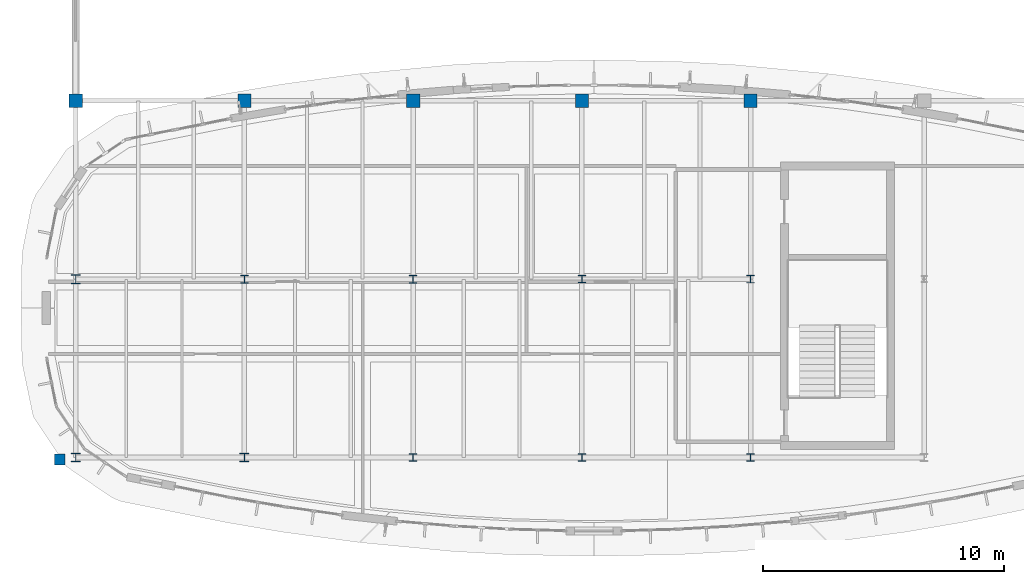
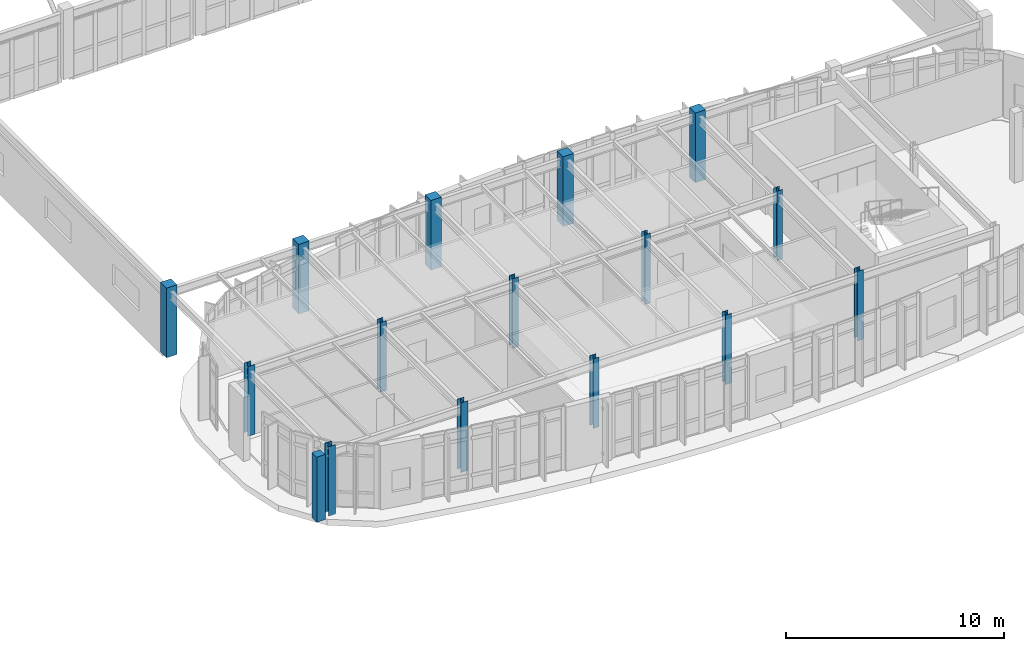
# One storey, part 6 of 111: 16 columns.
"""IFC4 building model written with IfcOpenShell, lengths in metres."""

import ifcopenshell
import ifcopenshell.guid

model = None  # the IFC model being written
_history = None  # IfcOwnerHistory: only IFC2X3 demands one
_inside = {}  # id of a spatial element -> (the spatial element, [elements in it])
_under = {}  # id of a project, library or spatial element -> (it, [spatial elements below it])
_declared = {}  # id of a project -> (the project, [libraries it declares])
_typed = {}  # id of a type object -> (the type object, [elements of that type])
_made_of = {}  # id of a material, layer set ... -> (it, [elements and type objects made of it])


def new_model(schema):
    """Start an empty IFC model of exactly this schema.

    Asked for "IFC4X3", IfcOpenShell would pick the latest addendum, in which some entities
    have other attributes; the version numbers below select the first issue.
    IFC2X3 requires an IfcOwnerHistory on every rooted entity: one is made here for all.
    """
    global model, _history
    if schema == "IFC4X3":
        model = ifcopenshell.file(schema_version=(4, 3, 0, 0))
    else:
        model = ifcopenshell.file(schema=schema)
    _inside.clear()
    _under.clear()
    _declared.clear()
    _typed.clear()
    _made_of.clear()
    _history = None
    if model.schema == "IFC2X3":
        org = make("IfcOrganization", Name="unknown")
        user = make(
            "IfcPersonAndOrganization",
            ThePerson=make("IfcPerson", FamilyName="unknown"),
            TheOrganization=org,
        )
        app = make(
            "IfcApplication",
            ApplicationDeveloper=org,
            Version="unknown",
            ApplicationFullName="unknown",
            ApplicationIdentifier="unknown",
        )
        _history = make(
            "IfcOwnerHistory",
            OwningUser=user,
            OwningApplication=app,
            ChangeAction="ADDED",
            CreationDate=0,
        )
    return model


def make(cls, **values):
    """One entity of the class cls with the attributes given. An attribute that is None is left unset."""
    return model.create_entity(
        cls, **{name: value for name, value in values.items() if value is not None}
    )


def rooted(cls, **values):
    """An entity with a GlobalId (a new one), such as an element, a storey or a relation."""
    return make(cls, GlobalId=ifcopenshell.guid.new(), OwnerHistory=_history, **values)


def si_unit(unit_type, name, prefix=None):
    """IfcSIUnit, for example si_unit("LENGTHUNIT", "METRE", prefix="MILLI")."""
    return make("IfcSIUnit", UnitType=unit_type, Prefix=prefix, Name=name)


def assignment(units):
    """IfcUnitAssignment: the units of a project."""
    return None if units is None else make("IfcUnitAssignment", Units=units)


def point(xyz):
    """IfcCartesianPoint."""
    return None if xyz is None else make("IfcCartesianPoint", Coordinates=xyz)


def direction(xyz):
    """IfcDirection."""
    return None if xyz is None else make("IfcDirection", DirectionRatios=xyz)


def frame(location, z_axis=None, x_axis=None):
    """IfcAxis2Placement3D, a coordinate frame: its origin and axes. An axis left out is left unset."""
    return make(
        "IfcAxis2Placement3D",
        Location=point(location),
        Axis=direction(z_axis),
        RefDirection=direction(x_axis),
    )


def frame_2d(location, x_axis=None):
    """IfcAxis2Placement2D, a coordinate frame in the plane: its origin and x axis."""
    return make(
        "IfcAxis2Placement2D", Location=point(location), RefDirection=direction(x_axis)
    )


def origin():
    """The frame at (0, 0, 0) with its axes left unset."""
    return frame((0.0, 0.0, 0.0))


def origin_2d():
    """The frame at (0, 0) in the plane with its x axis left unset."""
    return frame_2d((0.0, 0.0))


def place(relative_to, where):
    """IfcLocalPlacement: puts the frame where relative to a parent placement (None: the world)."""
    return make(
        "IfcLocalPlacement", PlacementRelTo=relative_to, RelativePlacement=where
    )


def context(
    kind, dimensions, precision=None, world=None, true_north=None, identifier=None
):
    """IfcGeometricRepresentationContext, for example the 3D "Model" context."""
    return make(
        "IfcGeometricRepresentationContext",
        ContextIdentifier=identifier,
        ContextType=kind,
        CoordinateSpaceDimension=dimensions,
        Precision=precision,
        WorldCoordinateSystem=world,
        TrueNorth=true_north,
    )


def subcontext(parent, identifier, kind, view, scale=None):
    """IfcGeometricRepresentationSubContext, for example "Body" below "Model"."""
    return make(
        "IfcGeometricRepresentationSubContext",
        ContextIdentifier=identifier,
        ContextType=kind,
        ParentContext=parent,
        TargetScale=scale,
        TargetView=view,
    )


def project(units=None, contexts=None):
    """IfcProject with its units and contexts."""
    return rooted(
        "IfcProject",
        Name="project",
        RepresentationContexts=contexts,
        UnitsInContext=assignment(units),
    )


def spatial(cls, under=None, at=None, **own):
    """A site, building, storey or space (cls), placed at a placement, below another one or the project."""
    s = rooted(cls, ObjectPlacement=at, **own)
    if under is not None:
        _under.setdefault(under.id(), (under, []))[1].append(s)
    return s


def profile(cls, at=None, kind="AREA", **sizes):
    """A parametric profile (cls). Its sizes go by their IFC names, for example OverallWidth=200.0."""
    return make(cls, ProfileType=kind, Position=at, **sizes)


def rectangle(**sizes):
    """IfcRectangleProfileDef."""
    return profile("IfcRectangleProfileDef", **sizes)


def i_section(**sizes):
    """IfcIShapeProfileDef."""
    return profile("IfcIShapeProfileDef", **sizes)


def extrude(swept, where, along, depth):
    """IfcExtrudedAreaSolid: the profile swept, set in the frame where, extruded along a direction by depth."""
    return make(
        "IfcExtrudedAreaSolid",
        SweptArea=swept,
        Position=where,
        ExtrudedDirection=direction(along),
        Depth=depth,
    )


def shape(context_of_items, identifier, shape_type, items):
    """IfcShapeRepresentation: the items that make up one representation, for example the "Body"."""
    return make(
        "IfcShapeRepresentation",
        ContextOfItems=context_of_items,
        RepresentationIdentifier=identifier,
        RepresentationType=shape_type,
        Items=items,
    )


def material(Name=None, Category=None):
    """IfcMaterial."""
    return make("IfcMaterial", Name=Name, Category=Category)


def material_profile(
    of_material, cross_section, Name=None, Category=None, Priority=None
):
    """IfcMaterialProfile: a cross section and its material."""
    return make(
        "IfcMaterialProfile",
        Name=Name,
        Material=of_material,
        Profile=cross_section,
        Priority=Priority,
        Category=Category,
    )


def profile_set(profiles, Name=None, composite=None):
    """IfcMaterialProfileSet."""
    return make(
        "IfcMaterialProfileSet",
        Name=Name,
        MaterialProfiles=profiles,
        CompositeProfile=composite,
    )


def made_of(thing, what):
    """Note that an element or type object is made of a material, layer set ...; save() writes the relation."""
    if what is not None:
        _made_of.setdefault(what.id(), (what, []))[1].append(thing)
    return thing


def type_object(cls, material=None, **own):
    """A type object (cls), such as IfcWallType, which elements share."""
    return made_of(rooted(cls, **own), material)


def element(
    cls,
    number,
    at=None,
    inside=None,
    cuts=None,
    type_object=None,
    material=None,
    context=None,
    identifier="Body",
    shape_type=None,
    held_by="IfcProductDefinitionShape",
    body=None,
    shapes=None,
    **own,
):
    """One element of the class cls, such as IfcWall. Its Tag is "e" and its number.

    at: its placement. inside: the storey or other place that contains it. cuts: it is an
    opening in that element (IfcRelVoidsElement). A single representation is given by context,
    identifier, shape_type and body (its items); several are given by shapes. held_by: the class
    of the entity that holds the representations. save() writes the other relations.
    """
    e = rooted(cls, Tag="e%d" % number, ObjectPlacement=at, **own)
    if body is not None:
        shapes = [shape(context, identifier, shape_type, body)]
    if shapes is not None:
        e.Representation = make(held_by, Representations=shapes)
    if inside is not None:
        _inside.setdefault(inside.id(), (inside, []))[1].append(e)
    if cuts is not None:
        rooted(
            "IfcRelVoidsElement", RelatingBuildingElement=cuts, RelatedOpeningElement=e
        )
    if type_object is not None:
        _typed.setdefault(type_object.id(), (type_object, []))[1].append(e)
    return made_of(e, material)


def aggregate(whole, parts):
    """IfcRelAggregates: a whole, such as a stair, and the parts it consists of."""
    return rooted("IfcRelAggregates", RelatingObject=whole, RelatedObjects=parts)


def save(model, path):
    """Write the relations noted so far, then the file.

    IfcRelAggregates (storeys below a building ...), IfcRelContainedInSpatialStructure (elements
    in a storey), IfcRelDefinesByType, IfcRelAssociatesMaterial and IfcRelDeclares: one each for
    every whole, place, type object, material and project.
    """
    for whole, parts in _under.values():
        aggregate(whole, parts)
    for where, things in _inside.values():
        rooted(
            "IfcRelContainedInSpatialStructure",
            RelatedElements=things,
            RelatingStructure=where,
        )
    for kind, things in _typed.values():
        rooted("IfcRelDefinesByType", RelatedObjects=things, RelatingType=kind)
    for what, things in _made_of.values():
        rooted("IfcRelAssociatesMaterial", RelatedObjects=things, RelatingMaterial=what)
    for by, libraries in _declared.values():
        rooted("IfcRelDeclares", RelatingContext=by, RelatedDefinitions=libraries)
    model.write(path)


model = new_model("IFC4")

# Units and contexts
model_context = context("Model", 3, precision=1e-05, world=origin(), true_north=direction((0.0, 1.0)))
body_context = subcontext(model_context, "Body", "Model", "MODEL_VIEW")
ifc_project = project(units=[si_unit("LENGTHUNIT", "METRE"), si_unit("AREAUNIT", "SQUARE_METRE"), si_unit("VOLUMEUNIT", "CUBIC_METRE"), si_unit("PLANEANGLEUNIT", "RADIAN"), si_unit("MASSUNIT", "GRAM", prefix="KILO")], contexts=[model_context])

# Site, building, storey
site_placement = place(None, origin())
site = spatial("IfcSite", under=ifc_project, at=site_placement, CompositionType="ELEMENT")
building_placement = place(site_placement, origin())
building = spatial("IfcBuilding", under=site, at=building_placement, Name="Corveleigh Park Community Centre", CompositionType="ELEMENT")
storey_placement = place(building_placement, frame((0.0, 0.0, 4.800048828125)))
storey = spatial("IfcBuildingStorey", under=building, at=storey_placement, Name="L01", CompositionType="ELEMENT", Elevation=4.800048828125)

# Columns
ifc_material_1 = material(Name="Concrete C40/50", Category="concrete")
ifc_material_profile_1 = material_profile(ifc_material_1, rectangle(XDim=0.449951171875, YDim=0.449951171875, at=origin_2d()), Name="RC-450x450", Category="concrete")
ifc_profile_set_1 = profile_set([ifc_material_profile_1], Name="Concrete C40/50")
column_type_1 = type_object("IfcColumnType", Name="COL-RC-450x450", PredefinedType="COLUMN", material=ifc_profile_set_1)
column_1_placement = place(storey_placement, frame((10.5400390625, 77.916015625, 0.0), z_axis=(0.0, 0.0, 1.0), x_axis=(1.0, 0.0, 0.0)))
element("IfcColumn", 1, at=column_1_placement, inside=storey, type_object=column_type_1, Name="External deck support pier 134 L01", PredefinedType="COLUMN", context=body_context, shape_type="SweptSolid", body=[
    extrude(rectangle(XDim=0.449951171875, YDim=0.449951171875, at=origin_2d()), origin(), (0.0, 0.0, 1.0), 3.635986328125),
])
ifc_material_profile_2 = material_profile(ifc_material_1, rectangle(XDim=0.550048828125, YDim=0.550048828125, at=origin_2d()), Name="RC-550x550", Category="concrete")
ifc_profile_set_2 = profile_set([ifc_material_profile_2], Name="Concrete C40/50")
column_type_2 = type_object("IfcColumnType", Name="COL-RC-550x550", PredefinedType="COLUMN", material=ifc_profile_set_2)
for number, where, z_axis, x_axis, name in (
    (2, (11.199951171875, 92.800048828125, 0.0), (0.0, 0.0, 1.0), (1.0, 0.0, 0.0), "Column V2-HS1 L01"),
    (3, (18.199951171875, 92.800048828125, 0.0), (0.0, 0.0, 1.0), (1.0, 0.0, 0.0), "Column V2-HS2 L01"),
    (4, (25.199951171875, 92.800048828125, 0.0), (0.0, 0.0, 1.0), (1.0, 0.0, 0.0), "Column V2-HS3 L01"),
    (5, (32.199951171875, 92.800048828125, 0.0), (0.0, 0.0, 1.0), (1.0, 0.0, 0.0), "Column V2-HS4 L01"),
    (6, (39.199951171875, 92.800048828125, 0.0), (0.0, 0.0, 1.0), (1.0, 0.0, 0.0), "Column V2-HS5 L01"),
):
    element("IfcColumn", number, at=place(storey_placement, frame(where, z_axis=z_axis, x_axis=x_axis)), inside=storey, type_object=column_type_2, Name=name, PredefinedType="COLUMN", context=body_context, shape_type="SweptSolid", body=[
        extrude(rectangle(XDim=0.550048828125, YDim=0.550048828125, at=origin_2d()), origin(), (0.0, 0.0, 1.0), 3.89990234375),
    ])
ifc_material_2 = material(Name="Steel S355", Category="steel")
ifc_material_profile_3 = material_profile(ifc_material_2, i_section(OverallWidth=0.307373046875, OverallDepth=0.314453125, WebThickness=0.011962890625, FlangeThickness=0.018798828125, at=origin_2d()), Name="UKC 305x305x118", Category="steel")
ifc_profile_set_3 = profile_set([ifc_material_profile_3], Name="Steel S355")
column_type_3 = type_object("IfcColumnType", Name="COL-STL-UKC305x118", PredefinedType="COLUMN", material=ifc_profile_set_3)
for number, where, z_axis, x_axis, name in (
    (7, (32.199951171875, 85.39990234375, 0.0), (0.0, 0.0, 1.0), (1.0, 0.0, 0.0), "Column V2-ST-X3Y1 L01"),
    (8, (39.199951171875, 78.0, 0.0), (0.0, 0.0, 1.0), (1.0, 0.0, 0.0), "Column V2-ST-X4Y0 L01"),
):
    element("IfcColumn", number, at=place(storey_placement, frame(where, z_axis=z_axis, x_axis=x_axis)), inside=storey, type_object=column_type_3, Name=name, PredefinedType="COLUMN", context=body_context, shape_type="SweptSolid", body=[
        extrude(i_section(OverallWidth=0.307373046875, OverallDepth=0.314453125, WebThickness=0.011962890625, FlangeThickness=0.018798828125, at=origin_2d()), origin(), (0.0, 0.0, 1.0), 3.89990234375),
    ])
ifc_material_profile_4 = material_profile(ifc_material_2, i_section(OverallWidth=0.30908203125, OverallDepth=0.320556640625, WebThickness=0.013916015625, FlangeThickness=0.021728515625, at=origin_2d()), Name="UKC 305x305x137", Category="steel")
ifc_profile_set_4 = profile_set([ifc_material_profile_4], Name="Steel S355")
column_type_4 = type_object("IfcColumnType", Name="COL-STL-UKC305x137", PredefinedType="COLUMN", material=ifc_profile_set_4)
for number, where, z_axis, x_axis, name in (
    (9, (25.199951171875, 85.39990234375, 0.0), (0.0, 0.0, 1.0), (1.0, 0.0, 0.0), "Column V2-ST-X2Y1 L01"),
    (10, (32.199951171875, 78.0, 0.0), (0.0, 0.0, 1.0), (1.0, 0.0, 0.0), "Column V2-ST-X3Y0 L01"),
):
    element("IfcColumn", number, at=place(storey_placement, frame(where, z_axis=z_axis, x_axis=x_axis)), inside=storey, type_object=column_type_4, Name=name, PredefinedType="COLUMN", context=body_context, shape_type="SweptSolid", body=[
        extrude(i_section(OverallWidth=0.30908203125, OverallDepth=0.320556640625, WebThickness=0.013916015625, FlangeThickness=0.021728515625, at=origin_2d()), origin(), (0.0, 0.0, 1.0), 3.89990234375),
    ])
ifc_material_profile_5 = material_profile(ifc_material_2, i_section(OverallWidth=0.311279296875, OverallDepth=0.3271484375, WebThickness=0.015869140625, FlangeThickness=0.02490234375, at=origin_2d()), Name="UKC 305x305x158", Category="steel")
ifc_profile_set_5 = profile_set([ifc_material_profile_5], Name="Steel S355")
column_type_5 = type_object("IfcColumnType", Name="COL-STL-UKC305x158", PredefinedType="COLUMN", material=ifc_profile_set_5)
for number, where, z_axis, x_axis, name in (
    (11, (18.199951171875, 85.39990234375, 0.0), (0.0, 0.0, 1.0), (1.0, 0.0, 0.0), "Column V2-ST-X1Y1 L01"),
    (12, (25.199951171875, 78.0, 0.0), (0.0, 0.0, 1.0), (1.0, 0.0, 0.0), "Column V2-ST-X2Y0 L01"),
):
    element("IfcColumn", number, at=place(storey_placement, frame(where, z_axis=z_axis, x_axis=x_axis)), inside=storey, type_object=column_type_5, Name=name, PredefinedType="COLUMN", context=body_context, shape_type="SweptSolid", body=[
        extrude(i_section(OverallWidth=0.311279296875, OverallDepth=0.3271484375, WebThickness=0.015869140625, FlangeThickness=0.02490234375, at=origin_2d()), origin(), (0.0, 0.0, 1.0), 3.89990234375),
    ])
ifc_material_profile_6 = material_profile(ifc_material_2, i_section(OverallWidth=0.305419921875, OverallDepth=0.307861328125, WebThickness=0.010009765625, FlangeThickness=0.015380859375, at=origin_2d()), Name="UKC 305x305x97", Category="steel")
ifc_profile_set_6 = profile_set([ifc_material_profile_6], Name="Steel S355")
column_type_6 = type_object("IfcColumnType", Name="COL-STL-UKC305x97", PredefinedType="COLUMN", material=ifc_profile_set_6)
column_2_placement = place(storey_placement, frame((39.199951171875, 85.39990234375, 0.0), z_axis=(0.0, 0.0, 1.0), x_axis=(1.0, 0.0, 0.0)))
element("IfcColumn", 13, at=column_2_placement, inside=storey, type_object=column_type_6, Name="Column V2-ST-X4Y1 L01", PredefinedType="COLUMN", context=body_context, shape_type="SweptSolid", body=[
    extrude(i_section(OverallWidth=0.305419921875, OverallDepth=0.307861328125, WebThickness=0.010009765625, FlangeThickness=0.015380859375, at=origin_2d()), origin(), (0.0, 0.0, 1.0), 3.89990234375),
])
ifc_material_profile_7 = material_profile(ifc_material_2, i_section(OverallWidth=0.37060546875, OverallDepth=0.362060546875, WebThickness=0.01220703125, FlangeThickness=0.020751953125, at=origin_2d()), Name="UKC 356x368x153", Category="steel")
ifc_profile_set_7 = profile_set([ifc_material_profile_7], Name="Steel S355")
column_type_7 = type_object("IfcColumnType", Name="COL-STL-UKC356x153", PredefinedType="COLUMN", material=ifc_profile_set_7)
for number, where, z_axis, x_axis, name in (
    (14, (11.199951171875, 85.39990234375, 0.0), (0.0, 0.0, 1.0), (1.0, 0.0, 0.0), "Column V2-ST-X0Y1 L01"),
    (15, (18.199951171875, 78.0, 0.0), (0.0, 0.0, 1.0), (1.0, 0.0, 0.0), "Column V2-ST-X1Y0 L01"),
):
    element("IfcColumn", number, at=place(storey_placement, frame(where, z_axis=z_axis, x_axis=x_axis)), inside=storey, type_object=column_type_7, Name=name, PredefinedType="COLUMN", context=body_context, shape_type="SweptSolid", body=[
        extrude(i_section(OverallWidth=0.37060546875, OverallDepth=0.362060546875, WebThickness=0.01220703125, FlangeThickness=0.020751953125, at=origin_2d()), origin(), (0.0, 0.0, 1.0), 3.89990234375),
    ])
ifc_material_profile_8 = material_profile(ifc_material_2, i_section(OverallWidth=0.37255859375, OverallDepth=0.3681640625, WebThickness=0.014404296875, FlangeThickness=0.023681640625, at=origin_2d()), Name="UKC 356x368x177", Category="steel")
ifc_profile_set_8 = profile_set([ifc_material_profile_8], Name="Steel S355")
column_type_8 = type_object("IfcColumnType", Name="COL-STL-UKC356x177", PredefinedType="COLUMN", material=ifc_profile_set_8)
column_3_placement = place(storey_placement, frame((11.199951171875, 78.0, 0.0), z_axis=(0.0, 0.0, 1.0), x_axis=(1.0, 0.0, 0.0)))
element("IfcColumn", 16, at=column_3_placement, inside=storey, type_object=column_type_8, Name="Column V2-ST-X0Y0 L01", PredefinedType="COLUMN", context=body_context, shape_type="SweptSolid", body=[
    extrude(i_section(OverallWidth=0.37255859375, OverallDepth=0.3681640625, WebThickness=0.014404296875, FlangeThickness=0.023681640625, at=origin_2d()), origin(), (0.0, 0.0, 1.0), 3.89990234375),
])

save(model, "model.ifc")
